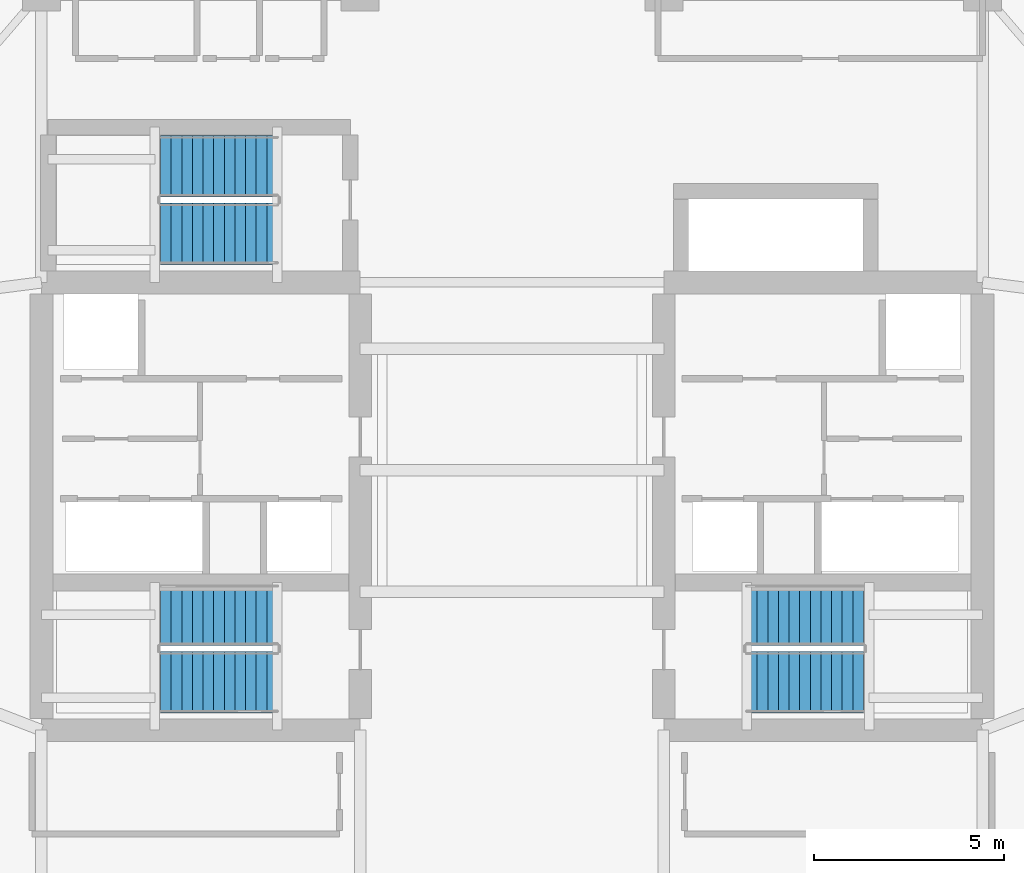
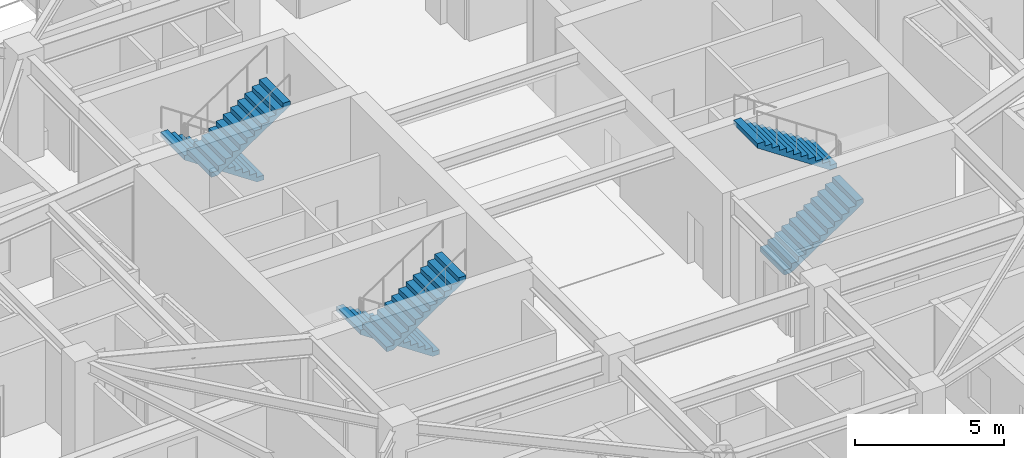
# One storey, part 17 of 22: 6 stair flights, 3 elements without a shape of their own.
"""IFC4 building model written with IfcOpenShell, lengths in metres."""

from ifc_helpers import new_model, si_unit, direction, frame, origin, place, context, subcontext, project, spatial, polyline, outline, extrude, material, layer, layer_set, type_object, element, aggregate, save


model = new_model("IFC4")

# Units and contexts
model_context = context("Model", 3, precision=1e-05, world=origin(), true_north=direction((0.0, 1.0)))
body_context = subcontext(model_context, "Body", "Model", "MODEL_VIEW")
ifc_project = project(units=[si_unit("LENGTHUNIT", "METRE"), si_unit("AREAUNIT", "SQUARE_METRE"), si_unit("VOLUMEUNIT", "CUBIC_METRE"), si_unit("PLANEANGLEUNIT", "RADIAN"), si_unit("MASSUNIT", "GRAM", prefix="KILO")], contexts=[model_context])

# Site, building, storey
site_placement = place(None, origin())
site = spatial("IfcSite", under=ifc_project, at=site_placement, CompositionType="ELEMENT")
building_placement = place(site_placement, origin())
building = spatial("IfcBuilding", under=site, at=building_placement, Name="Qingluan Cross Belvedere", CompositionType="ELEMENT")
storey_placement = place(building_placement, frame((0.0, 0.0, 196.800048828125)))
storey = spatial("IfcBuildingStorey", under=building, at=storey_placement, Name="L49", CompositionType="ELEMENT", Elevation=196.800048828125)

# Stair, stair flights
ifc_material_1 = material(Name="Concrete C40", Category="concrete")
stair_type = type_object("IfcStairType", Name="CoreDoglegStair_1620", PredefinedType="HALF_TURN_STAIR", material=ifc_material_1)
stair_1_placement = place(storey_placement, origin())
stair_1 = element("IfcStair", 1, at=stair_1_placement, inside=storey, type_object=stair_type, Name="L49 ST1", PredefinedType="HALF_TURN_STAIR")
ifc_material_2 = material(Name="Concrete C40", Category="concrete")
ifc_layer = layer(ifc_material_2, 0.179931640625, Name="StairFlight_RC180")
ifc_layer_set = layer_set([ifc_layer], Name="Concrete C40")
stair_flight_type = type_object("IfcStairFlightType", Name="StairFlight_RC180", PredefinedType="STRAIGHT", material=ifc_layer_set)
stair_flight_1_placement = place(storey_placement, frame((-6.179931640625, -3.81005859375, 0.0), z_axis=(0.0, 0.0, 1.0), x_axis=(-1.0, 0.0, 0.0)))
stair_flight_1 = element("IfcStairFlight", 2, at=stair_flight_1_placement, type_object=stair_flight_type, Name="ST1 flight 1", NumberOfRisers=12, NumberOfTreads=11, PredefinedType="STRAIGHT", RiserHeight=0.1875, TreadLength=0.28, context=body_context, shape_type="SweptSolid", body=[
    extrude(outline(polyline([(0.0, 0.0), (0.0, 0.1875), (0.280029296875, 0.1875), (0.280029296875, 0.375), (0.56005859375, 0.375), (0.56005859375, 0.5625), (0.840087890625, 0.5625), (0.840087890625, 0.75), (1.1201171875, 0.75), (1.1201171875, 0.9375), (1.39990234375, 0.9375), (1.39990234375, 1.125), (1.679931640625, 1.125), (1.679931640625, 1.3125), (1.9599609375, 1.3125), (1.9599609375, 1.5), (2.239990234375, 1.5), (2.239990234375, 1.6875), (2.52001953125, 1.6875), (2.52001953125, 1.875), (2.800048828125, 1.875), (2.800048828125, 2.0625), (3.080078125, 2.0625), (3.080078125, 2.25), (3.080078125, 1.882080078125), (0.26953125, 0.0), (0.0, 0.0)])), frame((0.0, 0.81005859375, 0.0), z_axis=(0.0, -1.0, 0.0), x_axis=(1.0, 0.0, 0.0)), (0.0, 0.0, 1.0), 1.6201171875),
])
stair_flight_2_placement = place(storey_placement, frame((-9.260009765625, -5.590087890625, 2.25), z_axis=(0.0, 0.0, 1.0), x_axis=(1.0, 0.0, 0.0)))
stair_flight_2 = element("IfcStairFlight", 3, at=stair_flight_2_placement, type_object=stair_flight_type, Name="ST1 flight 2", NumberOfRisers=12, NumberOfTreads=11, PredefinedType="STRAIGHT", RiserHeight=0.1875, TreadLength=0.28, context=body_context, shape_type="SweptSolid", body=[
    extrude(outline(polyline([(0.0, 0.0), (0.0, 0.1875), (0.280029296875, 0.1875), (0.280029296875, 0.375), (0.56005859375, 0.375), (0.56005859375, 0.5625), (0.840087890625, 0.5625), (0.840087890625, 0.75), (1.1201171875, 0.75), (1.1201171875, 0.9375), (1.39990234375, 0.9375), (1.39990234375, 1.125), (1.679931640625, 1.125), (1.679931640625, 1.3125), (1.9599609375, 1.3125), (1.9599609375, 1.5), (2.239990234375, 1.5), (2.239990234375, 1.6875), (2.52001953125, 1.6875), (2.52001953125, 1.875), (2.800048828125, 1.875), (2.800048828125, 2.0625), (3.080078125, 2.0625), (3.080078125, 2.25), (3.080078125, 1.882080078125), (0.26953125, 0.0), (0.0, 0.0)])), frame((0.0, 0.81005859375, 0.0), z_axis=(0.0, -1.0, 0.0), x_axis=(1.0, 0.0, 0.0)), (0.0, 0.0, 1.0), 1.6201171875),
])
aggregate(stair_1, [stair_flight_1, stair_flight_2])

stair_2_placement = place(storey_placement, origin())
stair_2 = element("IfcStair", 4, at=stair_2_placement, inside=storey, type_object=stair_type, Name="L49 ST2", PredefinedType="HALF_TURN_STAIR")
stair_flight_3_placement = place(storey_placement, frame((6.179931640625, -5.590087890625, 0.0), z_axis=(0.0, 0.0, 1.0), x_axis=(1.0, 0.0, 0.0)))
stair_flight_3 = element("IfcStairFlight", 5, at=stair_flight_3_placement, type_object=stair_flight_type, Name="ST2 flight 1", NumberOfRisers=12, NumberOfTreads=11, PredefinedType="STRAIGHT", RiserHeight=0.1875, TreadLength=0.28, context=body_context, shape_type="SweptSolid", body=[
    extrude(outline(polyline([(0.0, 0.0), (0.0, 0.1875), (0.280029296875, 0.1875), (0.280029296875, 0.375), (0.56005859375, 0.375), (0.56005859375, 0.5625), (0.840087890625, 0.5625), (0.840087890625, 0.75), (1.1201171875, 0.75), (1.1201171875, 0.9375), (1.39990234375, 0.9375), (1.39990234375, 1.125), (1.679931640625, 1.125), (1.679931640625, 1.3125), (1.9599609375, 1.3125), (1.9599609375, 1.5), (2.239990234375, 1.5), (2.239990234375, 1.6875), (2.52001953125, 1.6875), (2.52001953125, 1.875), (2.800048828125, 1.875), (2.800048828125, 2.0625), (3.080078125, 2.0625), (3.080078125, 2.25), (3.080078125, 1.882080078125), (0.26953125, 0.0), (0.0, 0.0)])), frame((0.0, 0.81005859375, 0.0), z_axis=(0.0, -1.0, 0.0), x_axis=(1.0, 0.0, 0.0)), (0.0, 0.0, 1.0), 1.6201171875),
])
stair_flight_4_placement = place(storey_placement, frame((9.260009765625, -3.81005859375, 2.25), z_axis=(0.0, 0.0, 1.0), x_axis=(-1.0, 0.0, 0.0)))
stair_flight_4 = element("IfcStairFlight", 6, at=stair_flight_4_placement, type_object=stair_flight_type, Name="ST2 flight 2", NumberOfRisers=12, NumberOfTreads=11, PredefinedType="STRAIGHT", RiserHeight=0.1875, TreadLength=0.28, context=body_context, shape_type="SweptSolid", body=[
    extrude(outline(polyline([(0.0, 0.0), (0.0, 0.1875), (0.280029296875, 0.1875), (0.280029296875, 0.375), (0.56005859375, 0.375), (0.56005859375, 0.5625), (0.840087890625, 0.5625), (0.840087890625, 0.75), (1.1201171875, 0.75), (1.1201171875, 0.9375), (1.39990234375, 0.9375), (1.39990234375, 1.125), (1.679931640625, 1.125), (1.679931640625, 1.3125), (1.9599609375, 1.3125), (1.9599609375, 1.5), (2.239990234375, 1.5), (2.239990234375, 1.6875), (2.52001953125, 1.6875), (2.52001953125, 1.875), (2.800048828125, 1.875), (2.800048828125, 2.0625), (3.080078125, 2.0625), (3.080078125, 2.25), (3.080078125, 1.882080078125), (0.26953125, 0.0), (0.0, 0.0)])), frame((0.0, 0.81005859375, 0.0), z_axis=(0.0, -1.0, 0.0), x_axis=(1.0, 0.0, 0.0)), (0.0, 0.0, 1.0), 1.6201171875),
])
aggregate(stair_2, [stair_flight_3, stair_flight_4])

stair_3_placement = place(storey_placement, origin())
stair_3 = element("IfcStair", 7, at=stair_3_placement, inside=storey, type_object=stair_type, Name="L49 ST3", PredefinedType="HALF_TURN_STAIR")
stair_flight_5_placement = place(storey_placement, frame((-6.179931640625, 8.010009765625, 0.0), z_axis=(0.0, 0.0, 1.0), x_axis=(-1.0, 0.0, 0.0)))
stair_flight_5 = element("IfcStairFlight", 8, at=stair_flight_5_placement, type_object=stair_flight_type, Name="ST3 flight 1", NumberOfRisers=12, NumberOfTreads=11, PredefinedType="STRAIGHT", RiserHeight=0.1875, TreadLength=0.28, context=body_context, shape_type="SweptSolid", body=[
    extrude(outline(polyline([(0.0, 0.0), (0.0, 0.1875), (0.280029296875, 0.1875), (0.280029296875, 0.375), (0.56005859375, 0.375), (0.56005859375, 0.5625), (0.840087890625, 0.5625), (0.840087890625, 0.75), (1.1201171875, 0.75), (1.1201171875, 0.9375), (1.39990234375, 0.9375), (1.39990234375, 1.125), (1.679931640625, 1.125), (1.679931640625, 1.3125), (1.9599609375, 1.3125), (1.9599609375, 1.5), (2.239990234375, 1.5), (2.239990234375, 1.6875), (2.52001953125, 1.6875), (2.52001953125, 1.875), (2.800048828125, 1.875), (2.800048828125, 2.0625), (3.080078125, 2.0625), (3.080078125, 2.25), (3.080078125, 1.882080078125), (0.26953125, 0.0), (0.0, 0.0)])), frame((0.0, 0.81005859375, 0.0), z_axis=(0.0, -1.0, 0.0), x_axis=(1.0, 0.0, 0.0)), (0.0, 0.0, 1.0), 1.6201171875),
])
stair_flight_6_placement = place(storey_placement, frame((-9.260009765625, 6.22998046875, 2.25), z_axis=(0.0, 0.0, 1.0), x_axis=(1.0, 0.0, 0.0)))
stair_flight_6 = element("IfcStairFlight", 9, at=stair_flight_6_placement, type_object=stair_flight_type, Name="ST3 flight 2", NumberOfRisers=12, NumberOfTreads=11, PredefinedType="STRAIGHT", RiserHeight=0.1875, TreadLength=0.28, context=body_context, shape_type="SweptSolid", body=[
    extrude(outline(polyline([(0.0, 0.0), (0.0, 0.1875), (0.280029296875, 0.1875), (0.280029296875, 0.375), (0.56005859375, 0.375), (0.56005859375, 0.5625), (0.840087890625, 0.5625), (0.840087890625, 0.75), (1.1201171875, 0.75), (1.1201171875, 0.9375), (1.39990234375, 0.9375), (1.39990234375, 1.125), (1.679931640625, 1.125), (1.679931640625, 1.3125), (1.9599609375, 1.3125), (1.9599609375, 1.5), (2.239990234375, 1.5), (2.239990234375, 1.6875), (2.52001953125, 1.6875), (2.52001953125, 1.875), (2.800048828125, 1.875), (2.800048828125, 2.0625), (3.080078125, 2.0625), (3.080078125, 2.25), (3.080078125, 1.882080078125), (0.26953125, 0.0), (0.0, 0.0)])), frame((0.0, 0.81005859375, 0.0), z_axis=(0.0, -1.0, 0.0), x_axis=(1.0, 0.0, 0.0)), (0.0, 0.0, 1.0), 1.6201171875),
])
aggregate(stair_3, [stair_flight_5, stair_flight_6])

save(model, "model.ifc")
